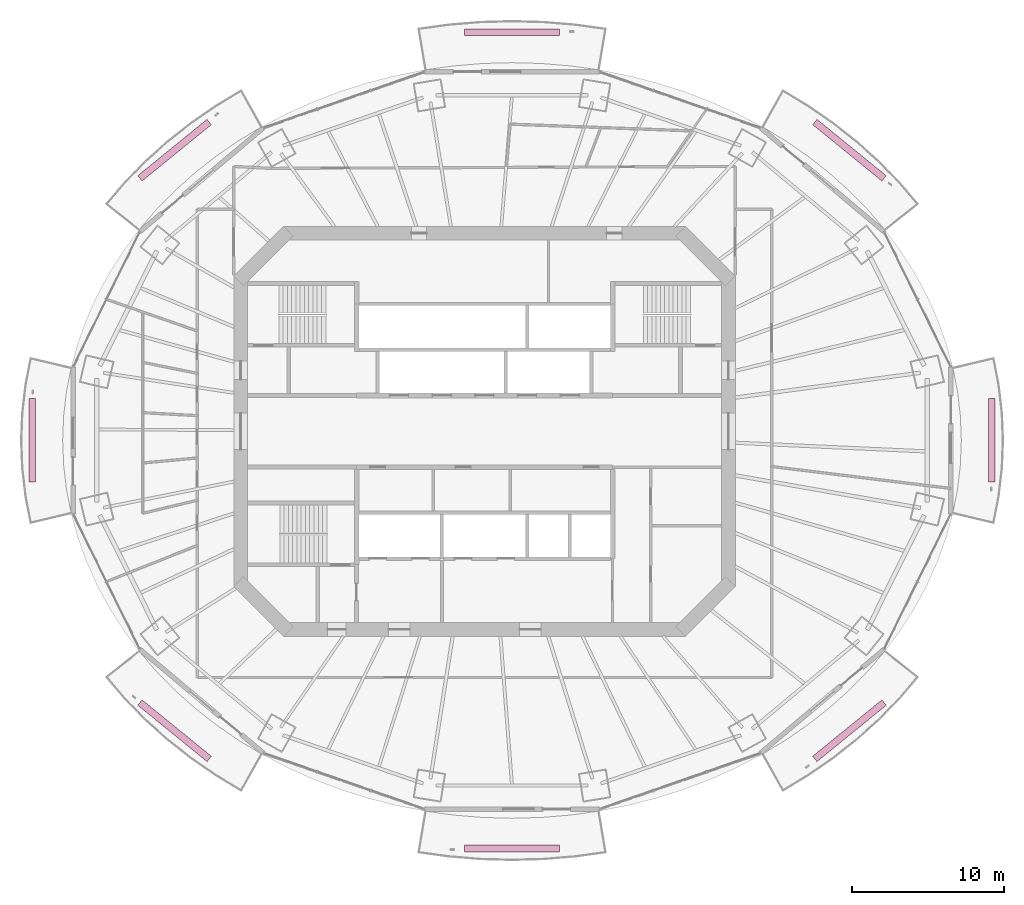
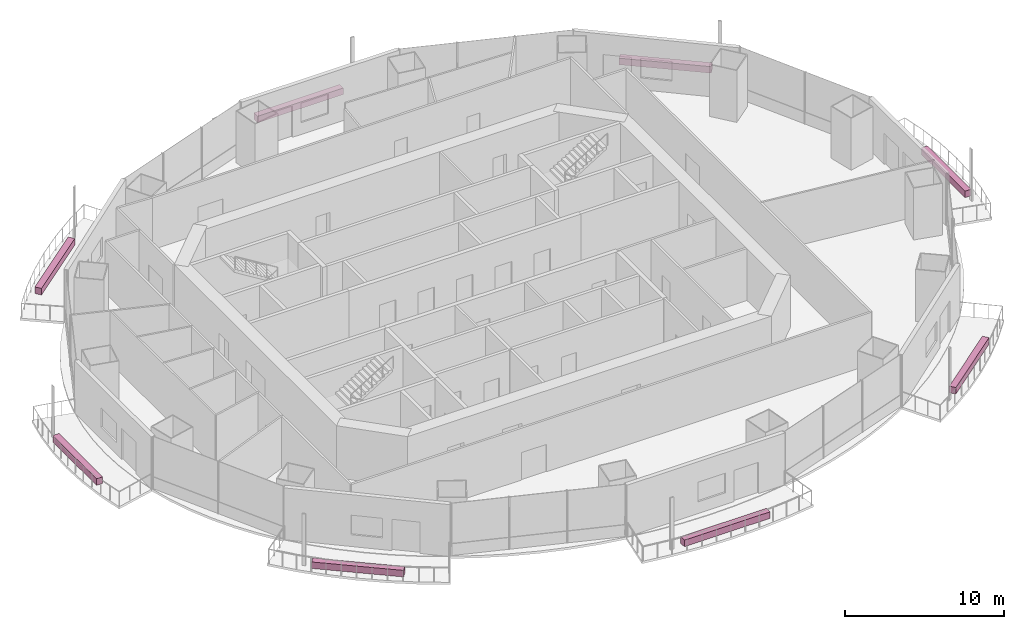
# One storey, part 18 of 18: 8 furnishings.
"""IFC4 building model written with IfcOpenShell, lengths in metres."""

from ifc_helpers import new_model, si_unit, direction, frame, origin, origin_2d, place, context, subcontext, project, spatial, rectangle, extrude, material, type_object, element, save


model = new_model("IFC4")

# Units and contexts
model_context = context("Model", 3, precision=1e-05, world=origin(), true_north=direction((0.0, 1.0)))
body_context = subcontext(model_context, "Body", "Model", "MODEL_VIEW")
ifc_project = project(units=[si_unit("LENGTHUNIT", "METRE"), si_unit("AREAUNIT", "SQUARE_METRE"), si_unit("VOLUMEUNIT", "CUBIC_METRE"), si_unit("PLANEANGLEUNIT", "RADIAN"), si_unit("MASSUNIT", "GRAM", prefix="KILO")], contexts=[model_context])

# Site, building, storey
site_placement = place(None, origin())
site = spatial("IfcSite", under=ifc_project, at=site_placement, CompositionType="ELEMENT")
building_placement = place(site_placement, origin())
building = spatial("IfcBuilding", under=site, at=building_placement, Name="Marenthal Gate Tower", CompositionType="ELEMENT")
storey_placement = place(building_placement, frame((0.0, 0.0, 264.800048828125)))
storey = spatial("IfcBuildingStorey", under=building, at=storey_placement, Name="L59", CompositionType="ELEMENT", Elevation=264.800048828125)

# Furnishings
ifc_material = material(Name="Planting soil and foliage", Category="planting")
furnishing_element_type = type_object("IfcFurnishingElementType", Name="Balcony PLANTER trough", material=ifc_material)
furnishing_1_placement = place(storey_placement, frame((23.93994140625, 18.446533203125, -0.0400390625), z_axis=(0.0, 0.0, 1.0), x_axis=(-0.775556894314, 0.631277675577, 0.0)))
element("IfcFurnishingElement", 1, at=furnishing_1_placement, inside=storey, type_object=furnishing_element_type, Name="Balcony PLANTER L59 bay 2", ObjectType="PLANTER", context=body_context, shape_type="SweptSolid", body=[
    extrude(rectangle(XDim=5.8525390625, YDim=0.449951171875, at=origin_2d()), origin(), (0.0, 0.0, 1.0), 0.5),
])
furnishing_2_placement = place(storey_placement, frame((1.800048828125, 26.18310546875, -0.0400390625), z_axis=(0.0, 0.0, 1.0), x_axis=(-1.0, 0.0, 0.0)))
element("IfcFurnishingElement", 2, at=furnishing_2_placement, inside=storey, type_object=furnishing_element_type, Name="Balcony PLANTER L59 bay 4", ObjectType="PLANTER", context=body_context, shape_type="SweptSolid", body=[
    extrude(rectangle(XDim=6.21337890625, YDim=0.449951171875, at=origin_2d()), origin(), (0.0, 0.0, 1.0), 0.5),
])
furnishing_3_placement = place(storey_placement, frame((-20.340087890625, 18.446533203125, -0.0400390625), z_axis=(0.0, 0.0, 1.0), x_axis=(-0.775556894314, -0.631277675577, 0.0)))
element("IfcFurnishingElement", 3, at=furnishing_3_placement, inside=storey, type_object=furnishing_element_type, Name="Balcony PLANTER L59 bay 6", ObjectType="PLANTER", context=body_context, shape_type="SweptSolid", body=[
    extrude(rectangle(XDim=5.8525390625, YDim=0.449951171875, at=origin_2d()), origin(), (0.0, 0.0, 1.0), 0.5),
])
furnishing_4_placement = place(storey_placement, frame((-29.676025390625, -0.60009765625, -0.0400390625), z_axis=(0.0, 0.0, 1.0), x_axis=(0.0, -1.0, 0.0)))
element("IfcFurnishingElement", 4, at=furnishing_4_placement, inside=storey, type_object=furnishing_element_type, Name="Balcony PLANTER L59 bay 8", ObjectType="PLANTER", context=body_context, shape_type="SweptSolid", body=[
    extrude(rectangle(XDim=5.48046875, YDim=0.449951171875, at=origin_2d()), origin(), (0.0, 0.0, 1.0), 0.5),
])
furnishing_5_placement = place(storey_placement, frame((-20.340087890625, -19.646484375, -0.0400390625), z_axis=(0.0, 0.0, 1.0), x_axis=(0.775556894314, -0.631277675577, 0.0)))
element("IfcFurnishingElement", 5, at=furnishing_5_placement, inside=storey, type_object=furnishing_element_type, Name="Balcony PLANTER L59 bay 10", ObjectType="PLANTER", context=body_context, shape_type="SweptSolid", body=[
    extrude(rectangle(XDim=5.8525390625, YDim=0.449951171875, at=origin_2d()), origin(), (0.0, 0.0, 1.0), 0.5),
])
furnishing_6_placement = place(storey_placement, frame((1.800048828125, -27.383056640625, -0.0400390625), z_axis=(0.0, 0.0, 1.0), x_axis=(1.0, 0.0, 0.0)))
element("IfcFurnishingElement", 6, at=furnishing_6_placement, inside=storey, type_object=furnishing_element_type, Name="Balcony PLANTER L59 bay 12", ObjectType="PLANTER", context=body_context, shape_type="SweptSolid", body=[
    extrude(rectangle(XDim=6.21337890625, YDim=0.449951171875, at=origin_2d()), origin(), (0.0, 0.0, 1.0), 0.5),
])
furnishing_7_placement = place(storey_placement, frame((23.93994140625, -19.646484375, -0.0400390625), z_axis=(0.0, 0.0, 1.0), x_axis=(0.775556894314, 0.631277675577, 0.0)))
element("IfcFurnishingElement", 7, at=furnishing_7_placement, inside=storey, type_object=furnishing_element_type, Name="Balcony PLANTER L59 bay 14", ObjectType="PLANTER", context=body_context, shape_type="SweptSolid", body=[
    extrude(rectangle(XDim=5.8525390625, YDim=0.449951171875, at=origin_2d()), origin(), (0.0, 0.0, 1.0), 0.5),
])
furnishing_8_placement = place(storey_placement, frame((33.27587890625, -0.60009765625, -0.0400390625), z_axis=(0.0, 0.0, 1.0), x_axis=(0.0, 1.0, 0.0)))
element("IfcFurnishingElement", 8, at=furnishing_8_placement, inside=storey, type_object=furnishing_element_type, Name="Balcony PLANTER L59 bay 16", ObjectType="PLANTER", context=body_context, shape_type="SweptSolid", body=[
    extrude(rectangle(XDim=5.48046875, YDim=0.449951171875, at=origin_2d()), origin(), (0.0, 0.0, 1.0), 0.5),
])

save(model, "model.ifc")
